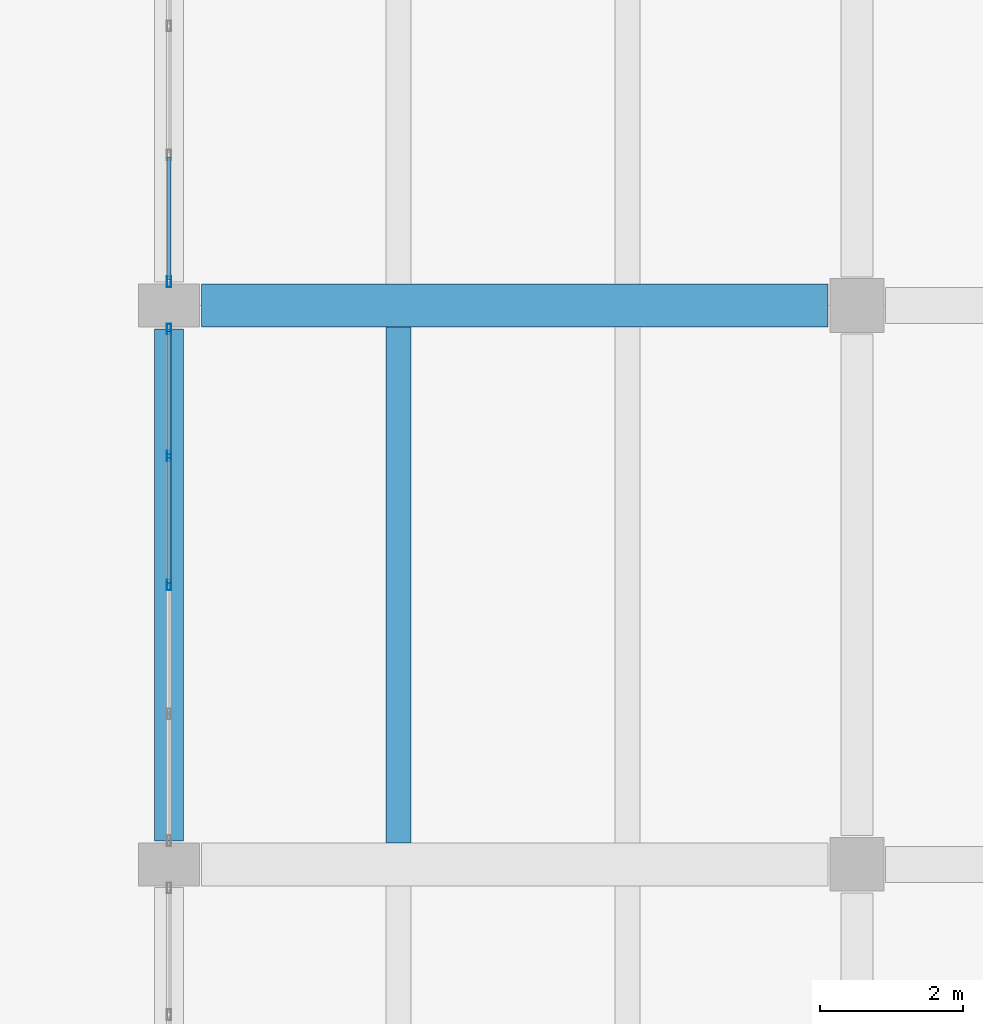
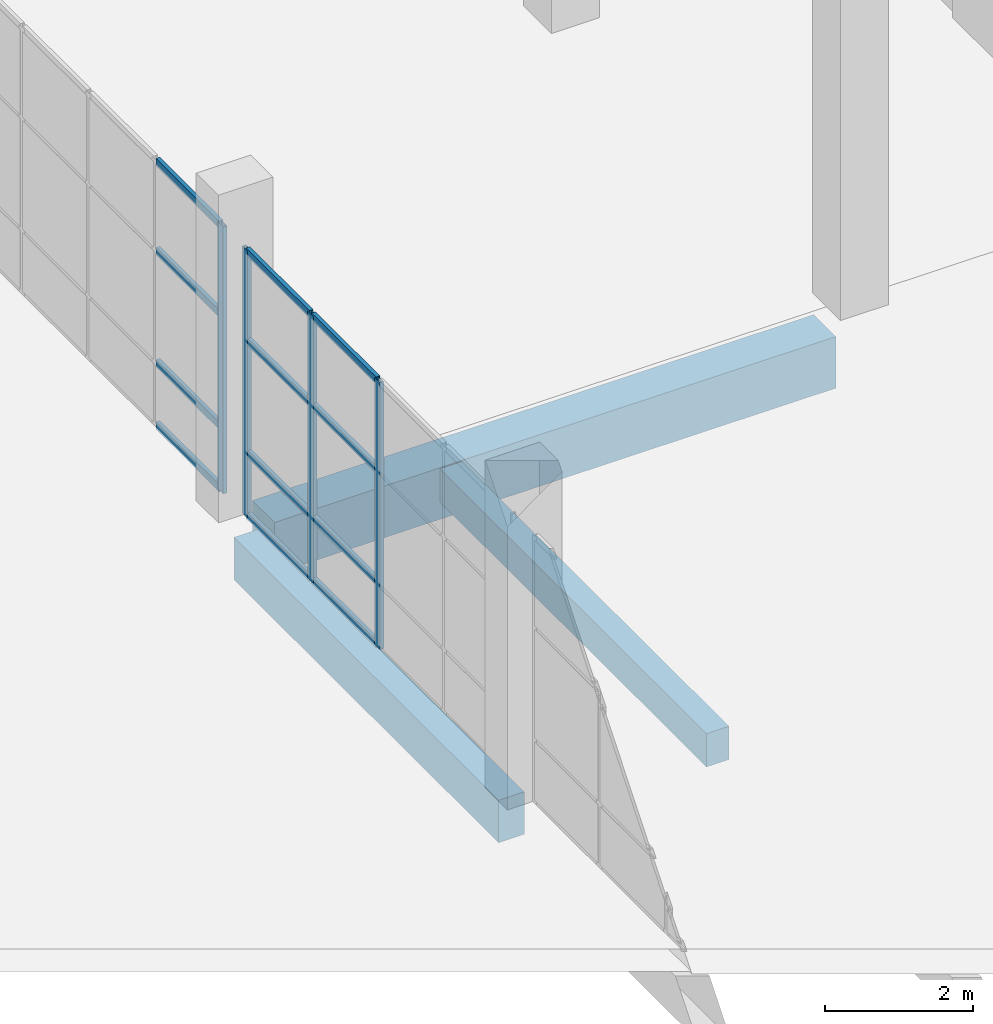
# One storey, part 38 of 78: 16 members, 3 beams, 2 elements without a shape of their own.
"""IFC4 building model written with IfcOpenShell, lengths in metres."""

from ifc_helpers import new_model, si_unit, direction, frame, origin, origin_2d, place, context, subcontext, project, spatial, rectangle, hollow_rectangle, extrude, material, material_profile, profile_set, type_object, element, aggregate, save


model = new_model("IFC4")

# Units and contexts
model_context = context("Model", 3, precision=1e-05, world=origin(), true_north=direction((0.0, 1.0)))
body_context = subcontext(model_context, "Body", "Model", "MODEL_VIEW")
ifc_project = project(units=[si_unit("LENGTHUNIT", "METRE"), si_unit("AREAUNIT", "SQUARE_METRE"), si_unit("VOLUMEUNIT", "CUBIC_METRE"), si_unit("PLANEANGLEUNIT", "RADIAN"), si_unit("MASSUNIT", "GRAM", prefix="KILO")], contexts=[model_context])

# Site, building, storey
site_placement = place(None, origin())
site = spatial("IfcSite", under=ifc_project, at=site_placement, CompositionType="ELEMENT")
building_placement = place(site_placement, origin())
building = spatial("IfcBuilding", under=site, at=building_placement, Name="Pellamere Symphony Hall", CompositionType="ELEMENT")
storey_placement = place(building_placement, origin())
storey = spatial("IfcBuildingStorey", under=building, at=storey_placement, Name="L00", CompositionType="ELEMENT", Elevation=0.0)

# Curtain wall, members
ifc_material_1 = material(Name="Thermally Broken Anodised Aluminium 6063-T6 Curtain Wall", Category="aluminium")
curtain_wall_type = type_object("IfcCurtainWallType", Name="Curtain Wall CW-05 (Artists Wing North Studio Ribbon Curtain Wall)", PredefinedType="NOTDEFINED", material=ifc_material_1)
curtain_wall_1_placement = place(storey_placement, origin())
curtain_wall_1 = element("IfcCurtainWall", 1, at=curtain_wall_1_placement, inside=storey, type_object=curtain_wall_type, Name="Sculpture Court East Wing Curtain Wall (L00 Bay 2)", PredefinedType="NOTDEFINED")
ifc_material_2 = material(Name="Anodised Architectural Aluminium 6063-T6", Category="aluminium")
ifc_material_profile_1 = material_profile(ifc_material_2, hollow_rectangle(XDim=0.06005859375, YDim=0.14990234375, WallThickness=0.00390625, at=origin_2d()), Name="ALU-M60X150X4")
ifc_profile_set_1 = profile_set([ifc_material_profile_1], Name="Anodised Architectural Aluminium 6063-T6")
member_type_1 = type_object("IfcMemberType", Name="Curtain Wall Mullion ML-03 ALU-M60X150X4", PredefinedType="MULLION", material=ifc_profile_set_1)
member_1_placement = place(storey_placement, frame((138.0, 73.5, 0.0), z_axis=(0.0, 0.0, 1.0), x_axis=(-1.0, 0.0, 0.0)))
member_1 = element("IfcMember", 2, at=member_1_placement, type_object=member_type_1, Name="CW5-127 crystal mullion 3", PredefinedType="MULLION", context=body_context, shape_type="SweptSolid", body=[
    extrude(hollow_rectangle(XDim=0.06005859375, YDim=0.14990234375, WallThickness=0.00390625, at=origin_2d()), origin(), (0.0, 0.0, 1.0), 4.39990234375),
])
member_2_placement = place(storey_placement, frame((138.0, 75.300048828125, 0.0), z_axis=(0.0, 0.0, 1.0), x_axis=(-1.0, 0.0, 0.0)))
member_2 = element("IfcMember", 3, at=member_2_placement, type_object=member_type_1, Name="CW5-127 crystal mullion 4", PredefinedType="MULLION", context=body_context, shape_type="SweptSolid", body=[
    extrude(hollow_rectangle(XDim=0.06005859375, YDim=0.14990234375, WallThickness=0.00390625, at=origin_2d()), origin(), (0.0, 0.0, 1.0), 4.39990234375),
])
member_3_placement = place(storey_placement, frame((138.0, 77.070068359375, 0.0), z_axis=(0.0, 0.0, 1.0), x_axis=(-1.0, 0.0, 0.0)))
member_3 = element("IfcMember", 4, at=member_3_placement, type_object=member_type_1, Name="CW5-127 crystal mullion 5", PredefinedType="MULLION", context=body_context, shape_type="SweptSolid", body=[
    extrude(hollow_rectangle(XDim=0.06005859375, YDim=0.14990234375, WallThickness=0.00390625, at=origin_2d()), origin(), (0.0, 0.0, 1.0), 4.39990234375),
])

# Curtain wall, member
curtain_wall_2_placement = place(storey_placement, origin())
curtain_wall_2 = element("IfcCurtainWall", 5, at=curtain_wall_2_placement, inside=storey, type_object=curtain_wall_type, Name="Sculpture Court East Wing Curtain Wall (L00 Bay 3)", PredefinedType="NOTDEFINED")
member_4_placement = place(storey_placement, frame((138.0, 77.72998046875, 0.0), z_axis=(0.0, 0.0, 1.0), x_axis=(-1.0, 0.0, 0.0)))
member_4 = element("IfcMember", 6, at=member_4_placement, type_object=member_type_1, Name="CW5-128 crystal mullion 1", PredefinedType="MULLION", context=body_context, shape_type="SweptSolid", body=[
    extrude(hollow_rectangle(XDim=0.06005859375, YDim=0.14990234375, WallThickness=0.00390625, at=origin_2d()), origin(), (0.0, 0.0, 1.0), 4.39990234375),
])

# Member
ifc_material_profile_2 = material_profile(ifc_material_2, hollow_rectangle(XDim=0.06005859375, YDim=0.1201171875, WallThickness=0.00390625, at=origin_2d()), Name="ALU-T60X120X4")
ifc_profile_set_2 = profile_set([ifc_material_profile_2], Name="Anodised Architectural Aluminium 6063-T6")
member_type_2 = type_object("IfcMemberType", Name="Curtain Wall Transom TR-03 ALU-T60X120X4", PredefinedType="USERDEFINED", material=ifc_profile_set_2)
member_5_placement = place(storey_placement, frame((138.0, 73.530029296875, 0.030029296875), z_axis=(0.0, 1.0, 0.0), x_axis=(-1.0, 0.0, 0.0)))
member_5 = element("IfcMember", 7, at=member_5_placement, type_object=member_type_2, Name="CW5-127 crystal transom 3.1", ObjectType="TRANSOM", PredefinedType="USERDEFINED", context=body_context, shape_type="SweptSolid", body=[
    extrude(hollow_rectangle(XDim=0.06005859375, YDim=0.1201171875, WallThickness=0.00390625, at=origin_2d()), origin(), (0.0, 0.0, 1.0), 1.739990234375),
])

member_6_placement = place(storey_placement, frame((138.0, 73.530029296875, 1.055908203125), z_axis=(0.0, 1.0, 0.0), x_axis=(-1.0, 0.0, 0.0)))
member_6 = element("IfcMember", 8, at=member_6_placement, type_object=member_type_2, Name="CW5-127 crystal transom 3.2", ObjectType="TRANSOM", PredefinedType="USERDEFINED", context=body_context, shape_type="SweptSolid", body=[
    extrude(hollow_rectangle(XDim=0.06005859375, YDim=0.1201171875, WallThickness=0.00390625, at=origin_2d()), origin(), (0.0, 0.0, 1.0), 1.739990234375),
])

member_7_placement = place(storey_placement, frame((138.0, 73.530029296875, 2.904052734375), z_axis=(0.0, 1.0, 0.0), x_axis=(-1.0, 0.0, 0.0)))
member_7 = element("IfcMember", 9, at=member_7_placement, type_object=member_type_2, Name="CW5-127 crystal transom 3.3", ObjectType="TRANSOM", PredefinedType="USERDEFINED", context=body_context, shape_type="SweptSolid", body=[
    extrude(hollow_rectangle(XDim=0.06005859375, YDim=0.1201171875, WallThickness=0.00390625, at=origin_2d()), origin(), (0.0, 0.0, 1.0), 1.739990234375),
])

member_8_placement = place(storey_placement, frame((138.0, 73.530029296875, 4.3701171875), z_axis=(0.0, 1.0, 0.0), x_axis=(-1.0, 0.0, 0.0)))
member_8 = element("IfcMember", 10, at=member_8_placement, type_object=member_type_2, Name="CW5-127 crystal transom 3.4", ObjectType="TRANSOM", PredefinedType="USERDEFINED", context=body_context, shape_type="SweptSolid", body=[
    extrude(hollow_rectangle(XDim=0.06005859375, YDim=0.1201171875, WallThickness=0.00390625, at=origin_2d()), origin(), (0.0, 0.0, 1.0), 1.739990234375),
])

member_9_placement = place(storey_placement, frame((138.0, 75.330078125, 0.030029296875), z_axis=(0.0, 1.0, 0.0), x_axis=(-1.0, 0.0, 0.0)))
member_9 = element("IfcMember", 11, at=member_9_placement, type_object=member_type_2, Name="CW5-127 crystal transom 4.1", ObjectType="TRANSOM", PredefinedType="USERDEFINED", context=body_context, shape_type="SweptSolid", body=[
    extrude(hollow_rectangle(XDim=0.06005859375, YDim=0.1201171875, WallThickness=0.00390625, at=origin_2d()), origin(), (0.0, 0.0, 1.0), 1.7099609375),
])

member_10_placement = place(storey_placement, frame((138.0, 75.330078125, 1.055908203125), z_axis=(0.0, 1.0, 0.0), x_axis=(-1.0, 0.0, 0.0)))
member_10 = element("IfcMember", 12, at=member_10_placement, type_object=member_type_2, Name="CW5-127 crystal transom 4.2", ObjectType="TRANSOM", PredefinedType="USERDEFINED", context=body_context, shape_type="SweptSolid", body=[
    extrude(hollow_rectangle(XDim=0.06005859375, YDim=0.1201171875, WallThickness=0.00390625, at=origin_2d()), origin(), (0.0, 0.0, 1.0), 1.7099609375),
])

member_11_placement = place(storey_placement, frame((138.0, 75.330078125, 2.904052734375), z_axis=(0.0, 1.0, 0.0), x_axis=(-1.0, 0.0, 0.0)))
member_11 = element("IfcMember", 13, at=member_11_placement, type_object=member_type_2, Name="CW5-127 crystal transom 4.3", ObjectType="TRANSOM", PredefinedType="USERDEFINED", context=body_context, shape_type="SweptSolid", body=[
    extrude(hollow_rectangle(XDim=0.06005859375, YDim=0.1201171875, WallThickness=0.00390625, at=origin_2d()), origin(), (0.0, 0.0, 1.0), 1.7099609375),
])

member_12_placement = place(storey_placement, frame((138.0, 75.330078125, 4.3701171875), z_axis=(0.0, 1.0, 0.0), x_axis=(-1.0, 0.0, 0.0)))
member_12 = element("IfcMember", 14, at=member_12_placement, type_object=member_type_2, Name="CW5-127 crystal transom 4.4", ObjectType="TRANSOM", PredefinedType="USERDEFINED", context=body_context, shape_type="SweptSolid", body=[
    extrude(hollow_rectangle(XDim=0.06005859375, YDim=0.1201171875, WallThickness=0.00390625, at=origin_2d()), origin(), (0.0, 0.0, 1.0), 1.7099609375),
])

aggregate(curtain_wall_1, [member_1, member_2, member_3, member_5, member_6, member_7, member_8, member_9, member_10, member_11, member_12])

member_13_placement = place(storey_placement, frame((138.0, 77.760009765625, 0.030029296875), z_axis=(0.0, 1.0, 0.0), x_axis=(-1.0, 0.0, 0.0)))
member_13 = element("IfcMember", 15, at=member_13_placement, type_object=member_type_2, Name="CW5-128 crystal transom 1.1", ObjectType="TRANSOM", PredefinedType="USERDEFINED", context=body_context, shape_type="SweptSolid", body=[
    extrude(hollow_rectangle(XDim=0.06005859375, YDim=0.1201171875, WallThickness=0.00390625, at=origin_2d()), origin(), (0.0, 0.0, 1.0), 1.7099609375),
])

member_14_placement = place(storey_placement, frame((138.0, 77.760009765625, 1.055908203125), z_axis=(0.0, 1.0, 0.0), x_axis=(-1.0, 0.0, 0.0)))
member_14 = element("IfcMember", 16, at=member_14_placement, type_object=member_type_2, Name="CW5-128 crystal transom 1.2", ObjectType="TRANSOM", PredefinedType="USERDEFINED", context=body_context, shape_type="SweptSolid", body=[
    extrude(hollow_rectangle(XDim=0.06005859375, YDim=0.1201171875, WallThickness=0.00390625, at=origin_2d()), origin(), (0.0, 0.0, 1.0), 1.7099609375),
])

member_15_placement = place(storey_placement, frame((138.0, 77.760009765625, 2.904052734375), z_axis=(0.0, 1.0, 0.0), x_axis=(-1.0, 0.0, 0.0)))
member_15 = element("IfcMember", 17, at=member_15_placement, type_object=member_type_2, Name="CW5-128 crystal transom 1.3", ObjectType="TRANSOM", PredefinedType="USERDEFINED", context=body_context, shape_type="SweptSolid", body=[
    extrude(hollow_rectangle(XDim=0.06005859375, YDim=0.1201171875, WallThickness=0.00390625, at=origin_2d()), origin(), (0.0, 0.0, 1.0), 1.7099609375),
])

member_16_placement = place(storey_placement, frame((138.0, 77.760009765625, 4.3701171875), z_axis=(0.0, 1.0, 0.0), x_axis=(-1.0, 0.0, 0.0)))
member_16 = element("IfcMember", 18, at=member_16_placement, type_object=member_type_2, Name="CW5-128 crystal transom 1.4", ObjectType="TRANSOM", PredefinedType="USERDEFINED", context=body_context, shape_type="SweptSolid", body=[
    extrude(hollow_rectangle(XDim=0.06005859375, YDim=0.1201171875, WallThickness=0.00390625, at=origin_2d()), origin(), (0.0, 0.0, 1.0), 1.7099609375),
])

aggregate(curtain_wall_2, [member_4, member_13, member_14, member_15, member_16])

# Beams
ifc_material_3 = material(Name="Concrete 40 MPa", Category="concrete")
ifc_material_profile_3 = material_profile(ifc_material_3, rectangle(XDim=0.60009765625, YDim=0.85009765625, at=origin_2d()), Name="RC 600x850")
ifc_profile_set_3 = profile_set([ifc_material_profile_3], Name="Concrete 40 MPa")
beam_type_1 = type_object("IfcBeamType", Name="RC CB-04 600x850", PredefinedType="BEAM", material=ifc_profile_set_3)
beam_1_placement = place(storey_placement, frame((138.449951171875, 77.39990234375, -0.72509765625), z_axis=(1.0, 0.0, 0.0), x_axis=(0.0, 1.0, 0.0)))
element("IfcBeam", 19, at=beam_1_placement, inside=storey, type_object=beam_type_1, Name="Girder CB-04-X0145 (L00)", PredefinedType="BEAM", context=body_context, shape_type="SweptSolid", body=[
    extrude(rectangle(XDim=0.60009765625, YDim=0.85009765625, at=origin_2d()), origin(), (0.0, 0.0, 1.0), 8.75),
])
ifc_material_4 = material(Name="Concrete 35 MPa", Category="concrete")
ifc_material_profile_4 = material_profile(ifc_material_4, rectangle(XDim=0.35009765625, YDim=0.550048828125, at=origin_2d()), Name="RC 350x550")
ifc_profile_set_4 = profile_set([ifc_material_profile_4], Name="Concrete 35 MPa")
beam_type_2 = type_object("IfcBeamType", Name="RC CB-10 350x550", PredefinedType="BEAM", material=ifc_profile_set_4)
beam_2_placement = place(storey_placement, frame((141.199951171875, 69.89990234375, -0.590087890625), z_axis=(0.0, 1.0, 0.0), x_axis=(-1.0, 0.0, 0.0)))
element("IfcBeam", 20, at=beam_2_placement, inside=storey, type_object=beam_type_2, Name="Secondary Floor Beam CB-10-A1709 (L00)", PredefinedType="BEAM", context=body_context, shape_type="SweptSolid", body=[
    extrude(rectangle(XDim=0.35009765625, YDim=0.550048828125, at=origin_2d()), origin(), (0.0, 0.0, 1.0), 7.2001953125),
])
ifc_material_profile_5 = material_profile(ifc_material_3, rectangle(XDim=0.39990234375, YDim=0.699951171875, at=origin_2d()), Name="RC 400x700")
ifc_profile_set_5 = profile_set([ifc_material_profile_5], Name="Concrete 40 MPa")
beam_type_3 = type_object("IfcBeamType", Name="RC CB-13 400x700", PredefinedType="SPANDREL", material=ifc_profile_set_5)
beam_3_placement = place(storey_placement, frame((138.0, 69.925048828125, -0.64990234375), z_axis=(0.0, 1.0, 0.0), x_axis=(-1.0, 0.0, 0.0)))
element("IfcBeam", 21, at=beam_3_placement, inside=storey, type_object=beam_type_3, Name="Girder CB-13-Y0342 (L00)", PredefinedType="SPANDREL", context=body_context, shape_type="SweptSolid", body=[
    extrude(rectangle(XDim=0.39990234375, YDim=0.699951171875, at=origin_2d()), origin(), (0.0, 0.0, 1.0), 7.14990234375),
])

save(model, "model.ifc")
